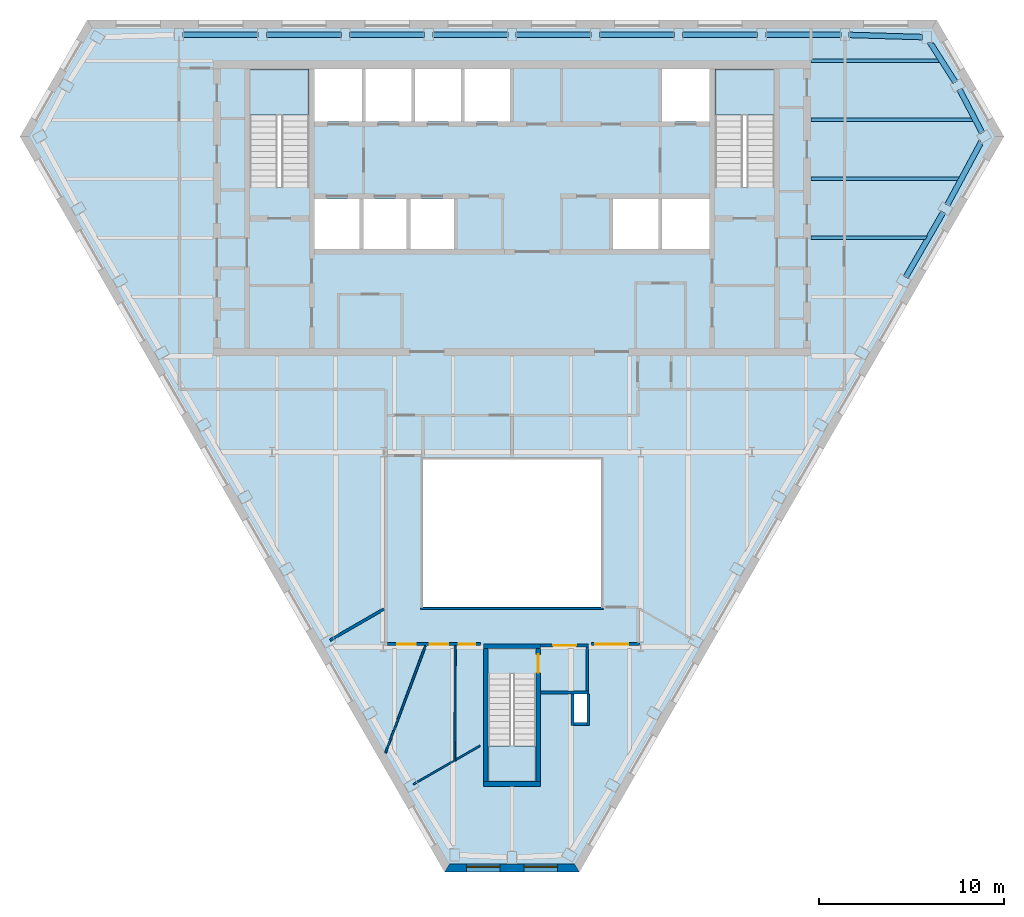
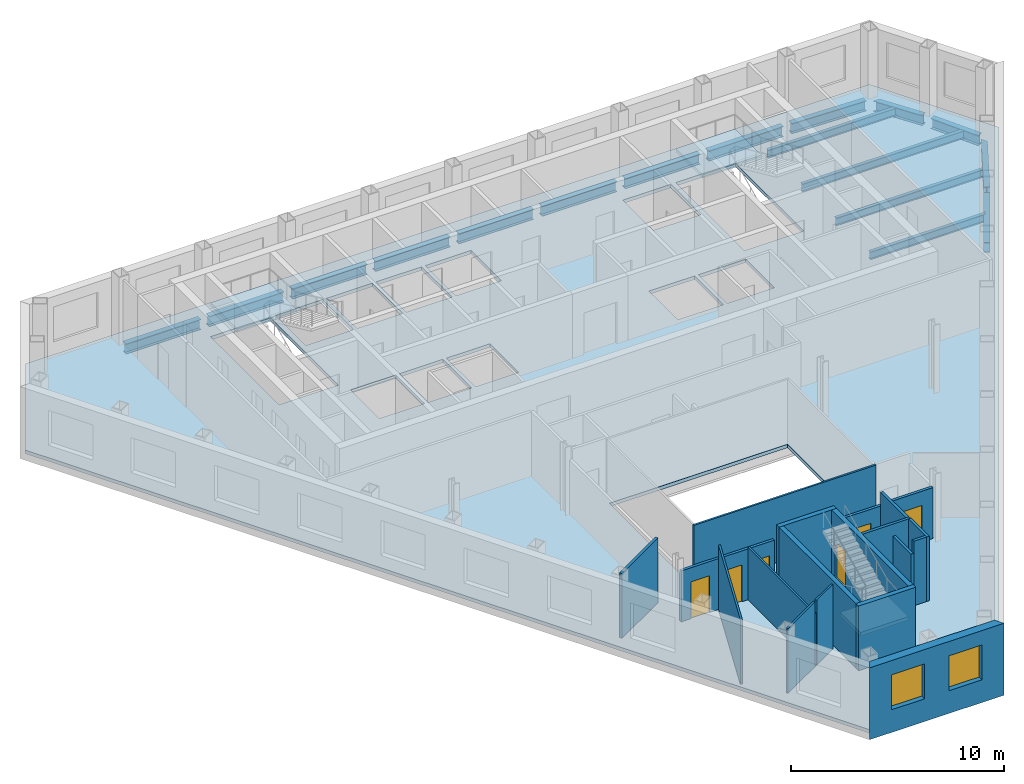
# One storey, part 3 of 11: 19 walls, 17 beams, 6 doors, 4 slabs, 2 windows, 8 openings, 3 elements without a shape of their own.
"""IFC4 building model written with IfcOpenShell, lengths in metres."""

from ifc_helpers import new_model, si_unit, direction, frame, frame_2d, origin, origin_2d, place, context, subcontext, project, spatial, polyline, rectangle, i_section, outline, extrude, clip, halfspace, material, layer, layer_set, material_profile, profile_set, type_object, element, fill, aggregate, save


model = new_model("IFC4")

# Units and contexts
model_context = context("Model", 3, precision=1e-05, world=origin(), true_north=direction((0.0, 1.0)))
body_context = subcontext(model_context, "Body", "Model", "MODEL_VIEW")
ifc_project = project(units=[si_unit("LENGTHUNIT", "METRE"), si_unit("AREAUNIT", "SQUARE_METRE"), si_unit("VOLUMEUNIT", "CUBIC_METRE"), si_unit("PLANEANGLEUNIT", "RADIAN"), si_unit("MASSUNIT", "GRAM", prefix="KILO")], contexts=[model_context])

# Site, building, storey
site_placement = place(None, origin())
site = spatial("IfcSite", under=ifc_project, at=site_placement, CompositionType="ELEMENT")
building_placement = place(site_placement, origin())
building = spatial("IfcBuilding", under=site, at=building_placement, Name="Njiva Tower", CompositionType="ELEMENT")
storey_placement = place(building_placement, frame((0.0, 0.0, 212.1)))
storey = spatial("IfcBuildingStorey", under=building, at=storey_placement, Name="L47", CompositionType="ELEMENT", Elevation=212.1)

# Beams
ifc_material_1 = material(Name="Steel S355 J2", Category="steel")
ifc_material_profile_1 = material_profile(ifc_material_1, i_section(OverallWidth=0.3, OverallDepth=0.59, WebThickness=0.013, FlangeThickness=0.025, at=origin_2d()), Name="HEA 600")
ifc_profile_set_1 = profile_set([ifc_material_profile_1], Name="Steel S355 J2")
beam_type_1 = type_object("IfcBeamType", Name="B27 Short-span spandrel beam HEA 600", PredefinedType="SPANDREL", material=ifc_profile_set_1)
beam_1_placement = place(storey_placement, frame((22.232, 19.274, -0.495), z_axis=(-0.999551735133, 0.029938750687, 0.0), x_axis=(-0.029938750687, -0.999551735133, 0.0)))
element("IfcBeam", 1, at=beam_1_placement, inside=storey, type_object=beam_type_1, Name="Short-span spandrel beam S15-B134", PredefinedType="SPANDREL", context=body_context, shape_type="SweptSolid", body=[
    extrude(i_section(OverallWidth=0.3, OverallDepth=0.59, WebThickness=0.013, FlangeThickness=0.025, at=origin_2d()), origin(), (0.0, 0.0, 1.0), 3.9748),
])
beam_2_placement = place(storey_placement, frame((17.805, 19.4, -0.495), z_axis=(-1.0, 0.0, 0.0), x_axis=(0.0, -1.0, 0.0)))
element("IfcBeam", 2, at=beam_2_placement, inside=storey, type_object=beam_type_1, Name="Short-span spandrel beam S15-B129", PredefinedType="SPANDREL", context=body_context, shape_type="SweptSolid", body=[
    extrude(i_section(OverallWidth=0.3, OverallDepth=0.59, WebThickness=0.013, FlangeThickness=0.025, at=origin_2d()), origin(), (0.0, 0.0, 1.0), 4.057),
])
beam_3_placement = place(storey_placement, frame((13.298, 19.4, -0.495), z_axis=(-1.0, 0.0, 0.0), x_axis=(0.0, -1.0, 0.0)))
element("IfcBeam", 3, at=beam_3_placement, inside=storey, type_object=beam_type_1, Name="Short-span spandrel beam S15-B124", PredefinedType="SPANDREL", context=body_context, shape_type="SweptSolid", body=[
    extrude(i_section(OverallWidth=0.3, OverallDepth=0.59, WebThickness=0.013, FlangeThickness=0.025, at=origin_2d()), origin(), (0.0, 0.0, 1.0), 4.058),
])
beam_4_placement = place(storey_placement, frame((8.79, 19.4, -0.495), z_axis=(-1.0, 0.0, 0.0), x_axis=(0.0, -1.0, 0.0)))
element("IfcBeam", 4, at=beam_4_placement, inside=storey, type_object=beam_type_1, Name="Short-span spandrel beam S15-B119", PredefinedType="SPANDREL", context=body_context, shape_type="SweptSolid", body=[
    extrude(i_section(OverallWidth=0.3, OverallDepth=0.59, WebThickness=0.013, FlangeThickness=0.025, at=origin_2d()), origin(), (0.0, 0.0, 1.0), 4.057),
])
for number, where, z_axis, x_axis, name in (
    (5, (4.283, 19.4, -0.495), (-1.0, 0.0, 0.0), (0.0, -1.0, 0.0), "Short-span spandrel beam S15-B114"),
    (6, (-0.225, 19.4, -0.495), (-1.0, 0.0, 0.0), (0.0, -1.0, 0.0), "Short-span spandrel beam S15-B111"),
):
    element("IfcBeam", number, at=place(storey_placement, frame(where, z_axis=z_axis, x_axis=x_axis)), inside=storey, type_object=beam_type_1, Name=name, PredefinedType="SPANDREL", context=body_context, shape_type="SweptSolid", body=[
        extrude(i_section(OverallWidth=0.3, OverallDepth=0.59, WebThickness=0.013, FlangeThickness=0.025, at=origin_2d()), origin(), (0.0, 0.0, 1.0), 4.058),
    ])
beam_5_placement = place(storey_placement, frame((-4.733, 19.4, -0.495), z_axis=(-1.0, 0.0, 0.0), x_axis=(0.0, -1.0, 0.0)))
element("IfcBeam", 7, at=beam_5_placement, inside=storey, type_object=beam_type_1, Name="Short-span spandrel beam S15-B106", PredefinedType="SPANDREL", context=body_context, shape_type="SweptSolid", body=[
    extrude(i_section(OverallWidth=0.3, OverallDepth=0.59, WebThickness=0.013, FlangeThickness=0.025, at=origin_2d()), origin(), (0.0, 0.0, 1.0), 4.057),
])
beam_6_placement = place(storey_placement, frame((-9.24, 19.4, -0.495), z_axis=(-1.0, 0.0, 0.0), x_axis=(0.0, -1.0, 0.0)))
element("IfcBeam", 8, at=beam_6_placement, inside=storey, type_object=beam_type_1, Name="Short-span spandrel beam S15-B101", PredefinedType="SPANDREL", context=body_context, shape_type="SweptSolid", body=[
    extrude(i_section(OverallWidth=0.3, OverallDepth=0.59, WebThickness=0.013, FlangeThickness=0.025, at=origin_2d()), origin(), (0.0, 0.0, 1.0), 4.058),
])
beam_7_placement = place(storey_placement, frame((-13.748, 19.4, -0.495), z_axis=(-1.0, 0.0, 0.0), x_axis=(0.0, -1.0, 0.0)))
element("IfcBeam", 9, at=beam_7_placement, inside=storey, type_object=beam_type_1, Name="Short-span spandrel beam S15-B096", PredefinedType="SPANDREL", context=body_context, shape_type="SweptSolid", body=[
    extrude(i_section(OverallWidth=0.3, OverallDepth=0.59, WebThickness=0.013, FlangeThickness=0.025, at=origin_2d()), origin(), (0.0, 0.0, 1.0), 4.057),
])
beam_8_placement = place(storey_placement, frame((21.326, 6.274, -0.495), z_axis=(0.500035331196, 0.866005004348, 0.0), x_axis=(-0.866005004348, 0.500035331196, 0.0)))
element("IfcBeam", 10, at=beam_8_placement, inside=storey, type_object=beam_type_1, Name="Short-span spandrel beam S15-B138", PredefinedType="SPANDREL", context=body_context, shape_type="SweptSolid", body=[
    extrude(i_section(OverallWidth=0.3, OverallDepth=0.59, WebThickness=0.013, FlangeThickness=0.025, at=origin_2d()), origin(), (0.0, 0.0, 1.0), 4.0577),
])
beam_9_placement = place(storey_placement, frame((23.576, 10.184, -0.495), z_axis=(0.473697336162, 0.880687704986, 0.0), x_axis=(-0.880687704986, 0.473697336162, 0.0)))
element("IfcBeam", 11, at=beam_9_placement, inside=storey, type_object=beam_type_1, Name="Short-span spandrel beam S15-B142", PredefinedType="SPANDREL", context=body_context, shape_type="Clipping", body=[
    clip(extrude(i_section(OverallWidth=0.3, OverallDepth=0.59, WebThickness=0.013, FlangeThickness=0.025, at=origin_2d()), origin(), (0.0, 0.0, 1.0), 3.9657), halfspace(frame((-0.0262, 0.0, 3.836), z_axis=(-0.525851211947, 0.0, 0.850576570859), x_axis=(0.0, 1.0, 0.0)), False)),
])
beam_10_placement = place(storey_placement, frame((25.461, 14.091, -0.495), z_axis=(-0.462411067742, 0.886665666658, 0.0), x_axis=(-0.886665666658, -0.462411067742, 0.0)))
element("IfcBeam", 12, at=beam_10_placement, inside=storey, type_object=beam_type_1, Name="Short-span spandrel beam S15-B143", PredefinedType="SPANDREL", context=body_context, shape_type="SweptSolid", body=[
    extrude(i_section(OverallWidth=0.3, OverallDepth=0.59, WebThickness=0.013, FlangeThickness=0.025, at=origin_2d()), origin(), (0.0, 0.0, 1.0), 2.647),
])
beam_11_placement = place(storey_placement, frame((24.006, 16.838, -0.495), z_axis=(-0.536644662207, 0.843808335183, 0.0), x_axis=(-0.843808335183, -0.536644662207, 0.0)))
element("IfcBeam", 13, at=beam_11_placement, inside=storey, type_object=beam_type_1, Name="Short-span spandrel beam S15-B139", PredefinedType="SPANDREL", context=body_context, shape_type="Clipping", body=[
    clip(extrude(i_section(OverallWidth=0.3, OverallDepth=0.59, WebThickness=0.013, FlangeThickness=0.025, at=origin_2d()), origin(), (0.0, 0.0, 1.0), 2.6381), halfspace(frame((-0.0268, 0.0, 2.506), z_axis=(-0.536644662207, 0.0, 0.843808335183), x_axis=(0.0, 1.0, 0.0)), False)),
])
ifc_material_profile_2 = material_profile(ifc_material_1, i_section(OverallWidth=0.19, OverallDepth=0.45, WebThickness=0.0094, FlangeThickness=0.0146, at=origin_2d()), Name="IPE 450")
ifc_profile_set_2 = profile_set([ifc_material_profile_2], Name="Steel S355 J2")
beam_type_2 = type_object("IfcBeamType", Name="B37 Floor beam to the core IPE 450", PredefinedType="BEAM", material=ifc_profile_set_2)
beam_12_placement = place(storey_placement, frame((16.2, 8.4, -0.425), z_axis=(1.0, 0.0, 0.0), x_axis=(0.0, 1.0, 0.0)))
element("IfcBeam", 14, at=beam_12_placement, inside=storey, type_object=beam_type_2, Name="Floor beam to the core S15-B007", PredefinedType="BEAM", context=body_context, shape_type="Clipping", body=[
    clip(extrude(i_section(OverallWidth=0.19, OverallDepth=0.45, WebThickness=0.0094, FlangeThickness=0.0146, at=origin_2d()), origin(), (0.0, 0.0, 1.0), 6.313), halfspace(frame((-0.025, 0.0, 6.2236), z_axis=(-0.499998009787, 0.0, 0.866026552831), x_axis=(0.0, 1.0, 0.0)), False)),
])
beam_13_placement = place(storey_placement, frame((16.2, 11.6, -0.425), z_axis=(1.0, 0.0, 0.0), x_axis=(0.0, 1.0, 0.0)))
element("IfcBeam", 15, at=beam_13_placement, inside=storey, type_object=beam_type_2, Name="Floor beam to the core S15-B008", PredefinedType="BEAM", context=body_context, shape_type="Clipping", body=[
    clip(extrude(i_section(OverallWidth=0.19, OverallDepth=0.45, WebThickness=0.0094, FlangeThickness=0.0146, at=origin_2d()), origin(), (0.0, 0.0, 1.0), 8.095), halfspace(frame((-0.0237, 0.0, 8.0111), z_axis=(-0.473769423091, 0.0, 0.880648927634), x_axis=(0.0, 1.0, 0.0)), False)),
])
beam_14_placement = place(storey_placement, frame((16.2, 14.8, -0.425), z_axis=(1.0, 0.0, 0.0), x_axis=(0.0, 1.0, 0.0)))
element("IfcBeam", 16, at=beam_14_placement, inside=storey, type_object=beam_type_2, Name="Floor beam to the core S15-B009", PredefinedType="BEAM", context=body_context, shape_type="Clipping", body=[
    clip(extrude(i_section(OverallWidth=0.19, OverallDepth=0.45, WebThickness=0.0094, FlangeThickness=0.0146, at=origin_2d()), origin(), (0.0, 0.0, 1.0), 8.848), halfspace(frame((0.0231, 0.0, 8.7663), z_axis=(0.462460059842, 0.0, 0.886640114731), x_axis=(0.0, 1.0, 0.0)), False)),
])
beam_15_placement = place(storey_placement, frame((16.2, 18.0, -0.425), z_axis=(1.0, 0.0, 0.0), x_axis=(0.0, 1.0, 0.0)))
element("IfcBeam", 17, at=beam_15_placement, inside=storey, type_object=beam_type_2, Name="Floor beam to the core S15-B010", PredefinedType="BEAM", context=body_context, shape_type="Clipping", body=[
    clip(extrude(i_section(OverallWidth=0.19, OverallDepth=0.45, WebThickness=0.0094, FlangeThickness=0.0146, at=origin_2d()), origin(), (0.0, 0.0, 1.0), 7.028), halfspace(frame((0.0268, 0.0, 6.9314), z_axis=(0.536617291887, 0.0, 0.843825741518), x_axis=(0.0, 1.0, 0.0)), False)),
])

# Stair, slab
ifc_material_2 = material(Name="Concrete C40/50", Category="concrete")
stair_type_1 = type_object("IfcStairType", Name="ST4 Exit stair 1500", PredefinedType="HALF_TURN_STAIR", material=ifc_material_2)
stair_1_placement = place(storey_placement, origin())
stair_1 = element("IfcStair", 18, at=stair_1_placement, inside=storey, type_object=stair_type_1, Name="Stair A", PredefinedType="HALF_TURN_STAIR")
ifc_layer_1 = layer(ifc_material_2, 0.2)
ifc_layer_set_1 = layer_set([ifc_layer_1], Name="Concrete C40/50")
slab_type_1 = type_object("IfcSlabType", Name="FL9 Stair landing 200", PredefinedType="LANDING", material=ifc_layer_set_1)
slab_1_placement = place(storey_placement, frame((0.0, 0.0, 1.75)))
slab_1 = element("IfcSlab", 19, at=slab_1_placement, type_object=slab_type_1, Name="ST-A landing 1", PredefinedType="LANDING", context=body_context, shape_type="SweptSolid", body=[
    extrude(outline(polyline([(-14.206, 15.06), (-10.994, 15.06), (-10.994, 17.55), (-14.206, 17.55), (-14.206, 15.06)])), origin(), (0.0, 0.0, 1.0), 0.2),
])
aggregate(stair_1, [slab_1])

stair_2_placement = place(storey_placement, origin())
stair_2 = element("IfcStair", 20, at=stair_2_placement, inside=storey, type_object=stair_type_1, Name="Stair B", PredefinedType="HALF_TURN_STAIR")
slab_2_placement = place(storey_placement, frame((0.0, 0.0, 1.75)))
slab_2 = element("IfcSlab", 21, at=slab_2_placement, type_object=slab_type_1, Name="ST-B landing 1", PredefinedType="LANDING", context=body_context, shape_type="SweptSolid", body=[
    extrude(outline(polyline([(10.994, 15.06), (14.206, 15.06), (14.206, 17.55), (10.994, 17.55), (10.994, 15.06)])), origin(), (0.0, 0.0, 1.0), 0.2),
])
aggregate(stair_2, [slab_2])

stair_type_2 = type_object("IfcStairType", Name="ST1 Exit stair 1250", PredefinedType="HALF_TURN_STAIR", material=ifc_material_2)
stair_3_placement = place(storey_placement, origin())
stair_3 = element("IfcStair", 22, at=stair_3_placement, inside=storey, type_object=stair_type_2, Name="Stair C", PredefinedType="HALF_TURN_STAIR")
slab_3_placement = place(storey_placement, frame((0.0, 0.0, 1.75)))
slab_3 = element("IfcSlab", 23, at=slab_3_placement, type_object=slab_type_1, Name="ST-C landing 1", PredefinedType="LANDING", context=body_context, shape_type="SweptSolid", body=[
    extrude(outline(polyline([(-1.306, -21.05), (1.306, -21.05), (1.306, -19.12), (-1.306, -19.12), (-1.306, -21.05)])), origin(), (0.0, 0.0, 1.0), 0.2),
])
aggregate(stair_3, [slab_3])

# Slab
ifc_material_3 = material(Name="Concrete C30/37", Category="concrete")
ifc_layer_2 = layer(ifc_material_3, 0.2)
ifc_layer_set_2 = layer_set([ifc_layer_2], Name="Concrete C30/37")
slab_type_2 = type_object("IfcSlabType", Name="SL16 Composite floor slab 200", PredefinedType="FLOOR", material=ifc_layer_set_2)
slab_4_placement = place(storey_placement, frame((0.0, 0.0, -0.2)))
element("IfcSlab", 24, at=slab_4_placement, inside=storey, type_object=slab_type_2, Name="Floor slab L47", PredefinedType="FLOOR", context=body_context, shape_type="SweptSolid", body=[
    extrude(outline(polyline([(26.3852, 13.8867), (3.5151, -25.7255), (-3.5151, -25.7255), (-26.3852, 13.8867), (-22.8701, 19.975), (22.8701, 19.975), (26.3852, 13.8867)]), holes=[polyline([(10.994, 11.13), (14.206, 11.13), (14.206, 17.55), (10.994, 17.55), (10.994, 11.13)]), polyline([(8.125, 14.7), (10.7, 14.7), (10.7, 17.55), (8.125, 17.55), (8.125, 14.7)]), polyline([(8.1333, 7.8), (10.7, 7.8), (10.7, 10.5), (8.1333, 10.5), (8.1333, 7.8)]), polyline([(5.4667, 7.8), (7.9333, 7.8), (7.9333, 10.5), (5.4667, 10.5), (5.4667, 7.8)]), polyline([(4.82, -11.6), (4.82, -3.6), (-4.82, -3.6), (-4.82, -11.6), (4.82, -11.6)]), polyline([(3.35, -17.85), (4.05, -17.85), (4.05, -16.3), (3.35, -16.3), (3.35, -17.85)]), polyline([(-1.306, -21.05), (1.306, -21.05), (1.306, -15.19), (-1.306, -15.19), (-1.306, -21.05)]), polyline([(-2.575, 14.7), (-0.1, 14.7), (-0.1, 17.55), (-2.575, 17.55), (-2.575, 14.7)]), polyline([(-5.25, 14.7), (-2.775, 14.7), (-2.775, 17.55), (-5.25, 17.55), (-5.25, 14.7)]), polyline([(-5.5, 7.8), (-3.15, 7.8), (-3.15, 10.5), (-5.5, 10.5), (-5.5, 7.8)]), polyline([(-7.925, 14.7), (-5.45, 14.7), (-5.45, 17.55), (-7.925, 17.55), (-7.925, 14.7)]), polyline([(-8.05, 7.8), (-5.7, 7.8), (-5.7, 10.5), (-8.05, 10.5), (-8.05, 7.8)]), polyline([(-10.7, 14.7), (-8.125, 14.7), (-8.125, 17.55), (-10.7, 17.55), (-10.7, 14.7)]), polyline([(-8.25, 7.8), (-8.25, 10.5), (-10.7, 10.5), (-10.7, 7.8), (-8.25, 7.8)]), polyline([(-14.206, 11.13), (-10.994, 11.13), (-10.994, 17.55), (-14.206, 17.55), (-14.206, 11.13)])]), origin(), (0.0, 0.0, 1.0), 0.2),
])

# Walls
ifc_material_4 = material(Name="Gypsum board on steel studs", Category="gypsum")
ifc_layer_3 = layer(ifc_material_4, 0.1)
ifc_layer_set_3 = layer_set([ifc_layer_3], Name="Gypsum board on steel studs")
wall_type_1 = type_object("IfcWallType", Name="WT20 Gypsum partition 100", PredefinedType="PARTITIONING", material=ifc_layer_set_3)
wall_1_placement = place(storey_placement, frame((-6.852, -19.495, 0.0), z_axis=(0.0, 0.0, 1.0), x_axis=(0.349406475185, 0.936971245609, 0.0)))
element("IfcWall", 25, at=wall_1_placement, inside=storey, type_object=wall_type_1, Name="Partition S15-P007", PredefinedType="PARTITIONING", context=body_context, shape_type="SweptSolid", body=[
    extrude(rectangle(XDim=6.1934, YDim=0.1, at=frame_2d((3.0967, 0.0))), origin(), (0.0, 0.0, 1.0), 3.7),
])
wall_2_placement = place(storey_placement, frame((-5.351, -21.196, 0.0), z_axis=(0.0, 0.0, 1.0), x_axis=(0.866290838041, 0.499539972301, 0.0)))
element("IfcWall", 26, at=wall_2_placement, inside=storey, type_object=wall_type_1, Name="Partition S15-P012", PredefinedType="PARTITIONING", context=body_context, shape_type="SweptSolid", body=[
    extrude(rectangle(XDim=2.5303, YDim=0.1, at=frame_2d((1.2652, 0.0))), origin(), (0.0, 0.0, 1.0), 3.7),
])
wall_3_placement = place(storey_placement, frame((-3.1, -19.948, 0.0), z_axis=(0.0, 0.0, 1.0), x_axis=(0.003347661777, 0.999994396565, 0.0)))
element("IfcWall", 27, at=wall_3_placement, inside=storey, type_object=wall_type_1, Name="Partition S15-P014", PredefinedType="PARTITIONING", context=body_context, shape_type="SweptSolid", body=[
    extrude(rectangle(XDim=6.273, YDim=0.1, at=frame_2d((3.1365, 0.0))), origin(), (0.0, 0.0, 1.0), 3.01),
])
wall_4_placement = place(storey_placement, frame((-3.025, -19.854, 0.0), z_axis=(0.0, 0.0, 1.0), x_axis=(0.865897129857, 0.500222111171, 0.0)))
element("IfcWall", 28, at=wall_4_placement, inside=storey, type_object=wall_type_1, Name="Partition S15-P015", PredefinedType="PARTITIONING", context=body_context, shape_type="SweptSolid", body=[
    extrude(rectangle(XDim=1.5013, YDim=0.1, at=frame_2d((0.7506, 0.0))), origin(), (0.0, 0.0, 1.0), 3.7),
])
ifc_layer_4 = layer(ifc_material_4, 0.15)
ifc_layer_set_4 = layer_set([ifc_layer_4], Name="Gypsum board on steel studs")
wall_type_2 = type_object("IfcWallType", Name="WT21 Compartment wall 150", PredefinedType="PARTITIONING", material=ifc_layer_set_4)
wall_5_placement = place(storey_placement, frame((-9.858, -13.389, 0.0), z_axis=(0.0, 0.0, 1.0), x_axis=(0.865993292597, 0.500055614084, 0.0)))
element("IfcWall", 29, at=wall_5_placement, inside=storey, type_object=wall_type_2, Name="Partition S15-P006", PredefinedType="PARTITIONING", context=body_context, shape_type="SweptSolid", body=[
    extrude(rectangle(XDim=3.3776, YDim=0.15, at=frame_2d((1.6888, 0.0))), origin(), (0.0, 0.0, 1.0), 3.7),
])

# Wall, openings, doors
wall_6_placement = place(storey_placement, frame((-6.745, -13.6, 0.0), z_axis=(0.0, 0.0, 1.0), x_axis=(1.0, 0.0, 0.0)))
wall_6 = element("IfcWall", 30, at=wall_6_placement, inside=storey, type_object=wall_type_2, Name="Partition S15-P009", PredefinedType="PARTITIONING", context=body_context, shape_type="SweptSolid", body=[
    extrude(rectangle(XDim=5.045, YDim=0.15, at=frame_2d((2.5225, 0.0))), origin(), (0.0, 0.0, 1.0), 2.91),
])
opening_1_placement = place(wall_6_placement, frame((0.522, 0.0, 0.0)))
opening_1 = element("IfcOpeningElement", 31, at=opening_1_placement, cuts=wall_6, Name="Opening S15-D003", PredefinedType="OPENING", context=body_context, shape_type="SweptSolid", body=[
    extrude(rectangle(XDim=1.0, YDim=2.1, at=frame_2d((0.5, 1.05))), frame((0.0, 0.085, 0.0), z_axis=(0.0, -1.0, 0.0), x_axis=(1.0, 0.0, 0.0)), (0.0, 0.0, 1.0), 0.17),
])
opening_2_placement = place(wall_6_placement, frame((2.291, 0.0, 0.0)))
opening_2 = element("IfcOpeningElement", 32, at=opening_2_placement, cuts=wall_6, Name="Opening S15-D004", PredefinedType="OPENING", context=body_context, shape_type="SweptSolid", body=[
    extrude(rectangle(XDim=1.0, YDim=2.1, at=frame_2d((0.5, 1.05))), frame((0.0, 0.085, 0.0), z_axis=(0.0, -1.0, 0.0), x_axis=(1.0, 0.0, 0.0)), (0.0, 0.0, 1.0), 0.17),
])
opening_3_placement = place(wall_6_placement, frame((3.866, 0.0, 0.0)))
opening_3 = element("IfcOpeningElement", 33, at=opening_3_placement, cuts=wall_6, Name="Opening S15-D005", PredefinedType="OPENING", context=body_context, shape_type="SweptSolid", body=[
    extrude(rectangle(XDim=0.9, YDim=2.1, at=frame_2d((0.45, 1.05))), frame((0.0, 0.085, 0.0), z_axis=(0.0, -1.0, 0.0), x_axis=(1.0, 0.0, 0.0)), (0.0, 0.0, 1.0), 0.17),
])
ifc_material_5 = material(Name="Steel fire door set", Category="steel")
door_type_1 = type_object("IfcDoorType", Name="D36 Fire door 900x2100", OperationType="SINGLE_SWING_LEFT", PredefinedType="DOOR", material=ifc_material_5)
door_1_placement = place(opening_3_placement, origin())
door_1 = element("IfcDoor", 34, at=door_1_placement, inside=storey, type_object=door_type_1, Name="Door S15-D005", OperationType="SINGLE_SWING_RIGHT", OverallHeight=2.1, OverallWidth=0.9, PredefinedType="DOOR", context=body_context, shape_type="SweptSolid", body=[
    extrude(rectangle(XDim=0.9, YDim=2.1, at=frame_2d((0.45, 1.05))), frame((0.0, 0.025, 0.0), z_axis=(0.0, -1.0, 0.0), x_axis=(1.0, 0.0, 0.0)), (0.0, 0.0, 1.0), 0.05),
])
fill(opening_3, door_1)
door_type_2 = type_object("IfcDoorType", Name="D37 Fire door 1000x2100", OperationType="SINGLE_SWING_LEFT", PredefinedType="DOOR", material=ifc_material_5)
door_2_placement = place(opening_1_placement, origin())
door_2 = element("IfcDoor", 35, at=door_2_placement, inside=storey, type_object=door_type_2, Name="Door S15-D003", OperationType="SINGLE_SWING_LEFT", OverallHeight=2.1, OverallWidth=1.0, PredefinedType="DOOR", context=body_context, shape_type="SweptSolid", body=[
    extrude(rectangle(XDim=1.0, YDim=2.1, at=frame_2d((0.5, 1.05))), frame((0.0, 0.025, 0.0), z_axis=(0.0, -1.0, 0.0), x_axis=(1.0, 0.0, 0.0)), (0.0, 0.0, 1.0), 0.05),
])
fill(opening_1, door_2)
door_3_placement = place(opening_2_placement, origin())
door_3 = element("IfcDoor", 36, at=door_3_placement, inside=storey, type_object=door_type_2, Name="Door S15-D004", OperationType="SINGLE_SWING_RIGHT", OverallHeight=2.1, OverallWidth=1.0, PredefinedType="DOOR", context=body_context, shape_type="SweptSolid", body=[
    extrude(rectangle(XDim=1.0, YDim=2.1, at=frame_2d((0.5, 1.05))), frame((0.0, 0.025, 0.0), z_axis=(0.0, -1.0, 0.0), x_axis=(1.0, 0.0, 0.0)), (0.0, 0.0, 1.0), 0.05),
])
fill(opening_2, door_3)

# Wall, opening, door
wall_7_placement = place(storey_placement, frame((4.3, -13.6, 0.0), z_axis=(0.0, 0.0, 1.0), x_axis=(1.0, 0.0, 0.0)))
wall_7 = element("IfcWall", 37, at=wall_7_placement, inside=storey, type_object=wall_type_2, Name="Partition S15-P017", PredefinedType="PARTITIONING", context=body_context, shape_type="SweptSolid", body=[
    extrude(rectangle(XDim=2.595, YDim=0.15, at=frame_2d((1.2975, 0.0))), origin(), (0.0, 0.0, 1.0), 2.91),
])
opening_4_placement = place(wall_7_placement, frame((0.2, 0.0, 0.0)))
opening_4 = element("IfcOpeningElement", 38, at=opening_4_placement, cuts=wall_7, Name="Opening S15-D009", PredefinedType="OPENING", context=body_context, shape_type="SweptSolid", body=[
    extrude(rectangle(XDim=1.8, YDim=2.1, at=frame_2d((0.9, 1.05))), frame((0.0, 0.085, 0.0), z_axis=(0.0, -1.0, 0.0), x_axis=(1.0, 0.0, 0.0)), (0.0, 0.0, 1.0), 0.17),
])
door_type_3 = type_object("IfcDoorType", Name="D38 Fire door 1800x2100", OperationType="DOUBLE_DOOR_SINGLE_SWING", PredefinedType="DOOR", material=ifc_material_5)
door_4_placement = place(opening_4_placement, origin())
door_4 = element("IfcDoor", 39, at=door_4_placement, inside=storey, type_object=door_type_3, Name="Door S15-D009", OperationType="DOUBLE_DOOR_SINGLE_SWING", OverallHeight=2.1, OverallWidth=1.8, PredefinedType="DOOR", context=body_context, shape_type="SweptSolid", body=[
    extrude(rectangle(XDim=1.8, YDim=2.1, at=frame_2d((0.9, 1.05))), frame((0.0, 0.025, 0.0), z_axis=(0.0, -1.0, 0.0), x_axis=(1.0, 0.0, 0.0)), (0.0, 0.0, 1.0), 0.05),
])
fill(opening_4, door_4)

# Walls
ifc_material_6 = material(Name="Blockwork", Category="masonry")
ifc_layer_5 = layer(ifc_material_6, 0.15)
ifc_layer_set_5 = layer_set([ifc_layer_5], Name="Blockwork")
wall_type_3 = type_object("IfcWallType", Name="WT4 Stair partition 150", PredefinedType="PARTITIONING", material=ifc_layer_set_5)
wall_8_placement = place(storey_placement, frame((1.55, -16.225, 0.0), z_axis=(0.0, 0.0, 1.0), x_axis=(1.0, 0.0, 0.0)))
element("IfcWall", 40, at=wall_8_placement, inside=storey, type_object=wall_type_3, Name="Stair C vestibule wall south", PredefinedType="PARTITIONING", context=body_context, shape_type="SweptSolid", body=[
    extrude(rectangle(XDim=2.6, YDim=0.15, at=frame_2d((1.3, 0.0))), origin(), (0.0, 0.0, 1.0), 3.7),
])
wall_9_placement = place(storey_placement, frame((4.075, -16.15, 0.0), z_axis=(0.0, 0.0, 1.0), x_axis=(0.0, 1.0, 0.0)))
element("IfcWall", 41, at=wall_9_placement, inside=storey, type_object=wall_type_3, Name="Stair C vestibule wall east", PredefinedType="PARTITIONING", context=body_context, shape_type="SweptSolid", body=[
    extrude(rectangle(XDim=2.4, YDim=0.15, at=frame_2d((1.2, 0.0))), origin(), (0.0, 0.0, 1.0), 3.7),
])

# Wall, opening, door
wall_10_placement = place(storey_placement, frame((1.55, -13.675, 0.0), z_axis=(0.0, 0.0, 1.0), x_axis=(1.0, 0.0, 0.0)))
wall_10 = element("IfcWall", 42, at=wall_10_placement, inside=storey, type_object=wall_type_3, Name="Stair C vestibule wall north", PredefinedType="PARTITIONING", context=body_context, shape_type="SweptSolid", body=[
    extrude(rectangle(XDim=2.6, YDim=0.15, at=frame_2d((1.3, 0.0))), origin(), (0.0, 0.0, 1.0), 2.91),
])
opening_5_placement = place(wall_10_placement, frame((0.675, 0.0, 0.0)))
opening_5 = element("IfcOpeningElement", 43, at=opening_5_placement, cuts=wall_10, Name="Opening S15-D941", PredefinedType="OPENING", context=body_context, shape_type="SweptSolid", body=[
    extrude(rectangle(XDim=1.25, YDim=2.1, at=frame_2d((0.625, 1.05))), frame((0.0, 0.085, 0.0), z_axis=(0.0, -1.0, 0.0), x_axis=(1.0, 0.0, 0.0)), (0.0, 0.0, 1.0), 0.17),
])
ifc_material_7 = material(Name="Glazed steel fire door", Category="steel")
door_type_4 = type_object("IfcDoorType", Name="D8 Vestibule corridor door 1250x2100 glazed", OperationType="SINGLE_SWING_LEFT", PredefinedType="DOOR", material=ifc_material_7)
door_5_placement = place(opening_5_placement, origin())
door_5 = element("IfcDoor", 44, at=door_5_placement, inside=storey, type_object=door_type_4, Name="Stair vestibule corridor door", OperationType="SINGLE_SWING_RIGHT", OverallHeight=2.1, OverallWidth=1.25, PredefinedType="DOOR", context=body_context, shape_type="SweptSolid", body=[
    extrude(rectangle(XDim=1.25, YDim=2.1, at=frame_2d((0.625, 1.05))), frame((0.0, 0.025, 0.0), z_axis=(0.0, -1.0, 0.0), x_axis=(1.0, 0.0, 0.0)), (0.0, 0.0, 1.0), 0.05),
])
fill(opening_5, door_5)

# Walls
wall_11_placement = place(storey_placement, frame((3.275, -18.0, 0.0), z_axis=(0.0, 0.0, 1.0), x_axis=(0.0, 1.0, 0.0)))
element("IfcWall", 45, at=wall_11_placement, inside=storey, type_object=wall_type_3, Name="Stair C pressurisation shaft wall", PredefinedType="PARTITIONING", context=body_context, shape_type="SweptSolid", body=[
    extrude(rectangle(XDim=1.7, YDim=0.15, at=frame_2d((0.85, 0.0))), origin(), (0.0, 0.0, 1.0), 3.01),
])
wall_12_placement = place(storey_placement, frame((3.35, -17.925, 0.0), z_axis=(0.0, 0.0, 1.0), x_axis=(1.0, 0.0, 0.0)))
element("IfcWall", 46, at=wall_12_placement, inside=storey, type_object=wall_type_3, Name="Stair C pressurisation shaft wall", PredefinedType="PARTITIONING", context=body_context, shape_type="SweptSolid", body=[
    extrude(rectangle(XDim=0.7, YDim=0.15, at=frame_2d((0.35, 0.0))), origin(), (0.0, 0.0, 1.0), 3.7),
])
wall_13_placement = place(storey_placement, frame((4.125, -18.0, 0.0), z_axis=(0.0, 0.0, 1.0), x_axis=(0.0, 1.0, 0.0)))
element("IfcWall", 47, at=wall_13_placement, inside=storey, type_object=wall_type_3, Name="Stair C pressurisation shaft wall", PredefinedType="PARTITIONING", context=body_context, shape_type="SweptSolid", body=[
    extrude(rectangle(XDim=1.7, YDim=0.15, at=frame_2d((0.85, 0.0))), origin(), (0.0, 0.0, 1.0), 3.7),
])
ifc_layer_6 = layer(ifc_material_2, 0.25)
ifc_layer_set_6 = layer_set([ifc_layer_6], Name="Concrete C40/50")
wall_type_4 = type_object("IfcWallType", Name="WT9 Stair enclosure wall 250", PredefinedType="SHEAR", material=ifc_layer_set_6)
wall_14_placement = place(storey_placement, frame((-1.425, -21.05, 0.0), z_axis=(0.0, 0.0, 1.0), x_axis=(0.0, 1.0, 0.0)))
element("IfcWall", 48, at=wall_14_placement, inside=storey, type_object=wall_type_4, Name="Stair C wall west", PredefinedType="SHEAR", context=body_context, shape_type="SweptSolid", body=[
    extrude(rectangle(XDim=7.2, YDim=0.25, at=frame_2d((3.6, 0.0))), origin(), (0.0, 0.0, 1.0), 3.7),
])

# Wall, opening, door
wall_15_placement = place(storey_placement, frame((1.425, -21.05, 0.0), z_axis=(0.0, 0.0, 1.0), x_axis=(0.0, 1.0, 0.0)))
wall_15 = element("IfcWall", 49, at=wall_15_placement, inside=storey, type_object=wall_type_4, Name="Stair C wall east", PredefinedType="SHEAR", context=body_context, shape_type="SweptSolid", body=[
    extrude(rectangle(XDim=7.2, YDim=0.25, at=frame_2d((3.6, 0.0))), origin(), (0.0, 0.0, 1.0), 3.7),
])
opening_6_placement = place(wall_15_placement, frame((5.89, 0.0, 0.0)))
opening_6 = element("IfcOpeningElement", 50, at=opening_6_placement, cuts=wall_15, Name="Opening S15-D940", PredefinedType="OPENING", context=body_context, shape_type="SweptSolid", body=[
    extrude(rectangle(XDim=1.0, YDim=2.1, at=frame_2d((0.5, 1.05))), frame((0.0, 0.135, 0.0), z_axis=(0.0, -1.0, 0.0), x_axis=(1.0, 0.0, 0.0)), (0.0, 0.0, 1.0), 0.27),
])
door_type_5 = type_object("IfcDoorType", Name="D9 Stair vestibule door 1000x2100 glazed", OperationType="SINGLE_SWING_LEFT", PredefinedType="DOOR", material=ifc_material_7)
door_6_placement = place(opening_6_placement, origin())
door_6 = element("IfcDoor", 51, at=door_6_placement, inside=storey, type_object=door_type_5, Name="Stair C door", OperationType="SINGLE_SWING_LEFT", OverallHeight=2.1, OverallWidth=1.0, PredefinedType="DOOR", context=body_context, shape_type="SweptSolid", body=[
    extrude(rectangle(XDim=1.0, YDim=2.1, at=frame_2d((0.5, 1.05))), frame((0.0, 0.025, 0.0), z_axis=(0.0, -1.0, 0.0), x_axis=(1.0, 0.0, 0.0)), (0.0, 0.0, 1.0), 0.05),
])
fill(opening_6, door_6)

# Walls
for number, where, z_axis, x_axis, name in (
    (52, (-1.55, -21.175, 0.0), (0.0, 0.0, 1.0), (1.0, 0.0, 0.0), "Stair C wall south"),
    (53, (-1.55, -13.725, 0.0), (0.0, 0.0, 1.0), (1.0, 0.0, 0.0), "Stair C wall north"),
):
    element("IfcWall", number, at=place(storey_placement, frame(where, z_axis=z_axis, x_axis=x_axis)), inside=storey, type_object=wall_type_4, Name=name, PredefinedType="SHEAR", context=body_context, shape_type="SweptSolid", body=[
        extrude(rectangle(XDim=3.1, YDim=0.25, at=frame_2d((1.55, 0.0))), origin(), (0.0, 0.0, 1.0), 3.7),
    ])

# Wall, openings, windows
ifc_material_8 = material(Name="Brick masonry, buff", Category="masonry")
ifc_layer_7 = layer(ifc_material_8, 0.45)
ifc_layer_set_7 = layer_set([ifc_layer_7], Name="Brick masonry, buff")
wall_type_5 = type_object("IfcWallType", Name="WT94 Brick pier and spandrel wall 450, buff", PredefinedType="SOLIDWALL", material=ifc_layer_set_7)
wall_16_placement = place(storey_placement, frame((-3.5151, -25.7255, -0.4), z_axis=(0.0, 0.0, 1.0), x_axis=(1.0, 0.0, 0.0)))
wall_16 = element("IfcWall", 54, at=wall_16_placement, inside=storey, type_object=wall_type_5, Name="Facade wall S", PredefinedType="SOLIDWALL", context=body_context, shape_type="SweptSolid", body=[
    extrude(outline(polyline([(-0.1299, -0.225), (7.1601, -0.225), (6.9003, 0.225), (0.1299, 0.225), (-0.1299, -0.225)])), origin(), (0.0, 0.0, 1.0), 4.12),
])
opening_7_placement = place(wall_16_placement, frame((1.0619, 0.0, 1.3)))
opening_7 = element("IfcOpeningElement", 55, at=opening_7_placement, cuts=wall_16, Name="Opening S15-W21", PredefinedType="OPENING", context=body_context, shape_type="SweptSolid", body=[
    extrude(rectangle(XDim=1.8, YDim=2.0, at=frame_2d((0.9, 1.0))), frame((0.0, 0.235, 0.0), z_axis=(0.0, -1.0, 0.0), x_axis=(1.0, 0.0, 0.0)), (0.0, 0.0, 1.0), 0.47),
])
opening_8_placement = place(wall_16_placement, frame((4.1682, 0.0, 1.3)))
opening_8 = element("IfcOpeningElement", 56, at=opening_8_placement, cuts=wall_16, Name="Opening S15-W22", PredefinedType="OPENING", context=body_context, shape_type="SweptSolid", body=[
    extrude(rectangle(XDim=1.8, YDim=2.0, at=frame_2d((0.9, 1.0))), frame((0.0, 0.235, 0.0), z_axis=(0.0, -1.0, 0.0), x_axis=(1.0, 0.0, 0.0)), (0.0, 0.0, 1.0), 0.47),
])
ifc_material_9 = material(Name="Clear glazing in aluminium frame", Category="aluminium")
window_type = type_object("IfcWindowType", Name="W94 Deep-set window 1800x2000", PartitioningType="SINGLE_PANEL", PredefinedType="WINDOW", material=ifc_material_9)
window_1_placement = place(opening_7_placement, origin())
window_1 = element("IfcWindow", 57, at=window_1_placement, inside=storey, type_object=window_type, Name="Window", OverallHeight=2.0, OverallWidth=1.8, PartitioningType="SINGLE_PANEL", PredefinedType="WINDOW", context=body_context, shape_type="SweptSolid", body=[
    extrude(rectangle(XDim=1.8, YDim=2.0, at=frame_2d((0.9, 1.0))), frame((0.0, 0.105, 0.0), z_axis=(0.0, -1.0, 0.0), x_axis=(1.0, 0.0, 0.0)), (0.0, 0.0, 1.0), 0.06),
])
fill(opening_7, window_1)
window_2_placement = place(opening_8_placement, origin())
window_2 = element("IfcWindow", 58, at=window_2_placement, inside=storey, type_object=window_type, Name="Window", OverallHeight=2.0, OverallWidth=1.8, PartitioningType="SINGLE_PANEL", PredefinedType="WINDOW", context=body_context, shape_type="SweptSolid", body=[
    extrude(rectangle(XDim=1.8, YDim=2.0, at=frame_2d((0.9, 1.0))), frame((0.0, 0.105, 0.0), z_axis=(0.0, -1.0, 0.0), x_axis=(1.0, 0.0, 0.0)), (0.0, 0.0, 1.0), 0.06),
])
fill(opening_8, window_2)

# Wall
ifc_material_10 = material(Name="Fire-resisting glazing EI 90", Category="glass")
ifc_layer_8 = layer(ifc_material_10, 0.1)
ifc_layer_set_8 = layer_set([ifc_layer_8], Name="Fire-resisting glazing EI 90")
wall_type_6 = type_object("IfcWallType", Name="WT95 Fire-resisting glazed screen EI 90", PredefinedType="PARTITIONING", material=ifc_layer_set_8)
wall_17_placement = place(storey_placement, frame((-4.94, -11.67, 0.0), z_axis=(0.0, 0.0, 1.0), x_axis=(1.0, 0.0, 0.0)))
element("IfcWall", 59, at=wall_17_placement, inside=storey, type_object=wall_type_6, Name="Atrium fire screen south", PredefinedType="PARTITIONING", context=body_context, shape_type="SweptSolid", body=[
    extrude(rectangle(XDim=9.88, YDim=0.1, at=frame_2d((4.94, 0.0))), origin(), (0.0, 0.0, 1.0), 3.7),
])

save(model, "model.ifc")
